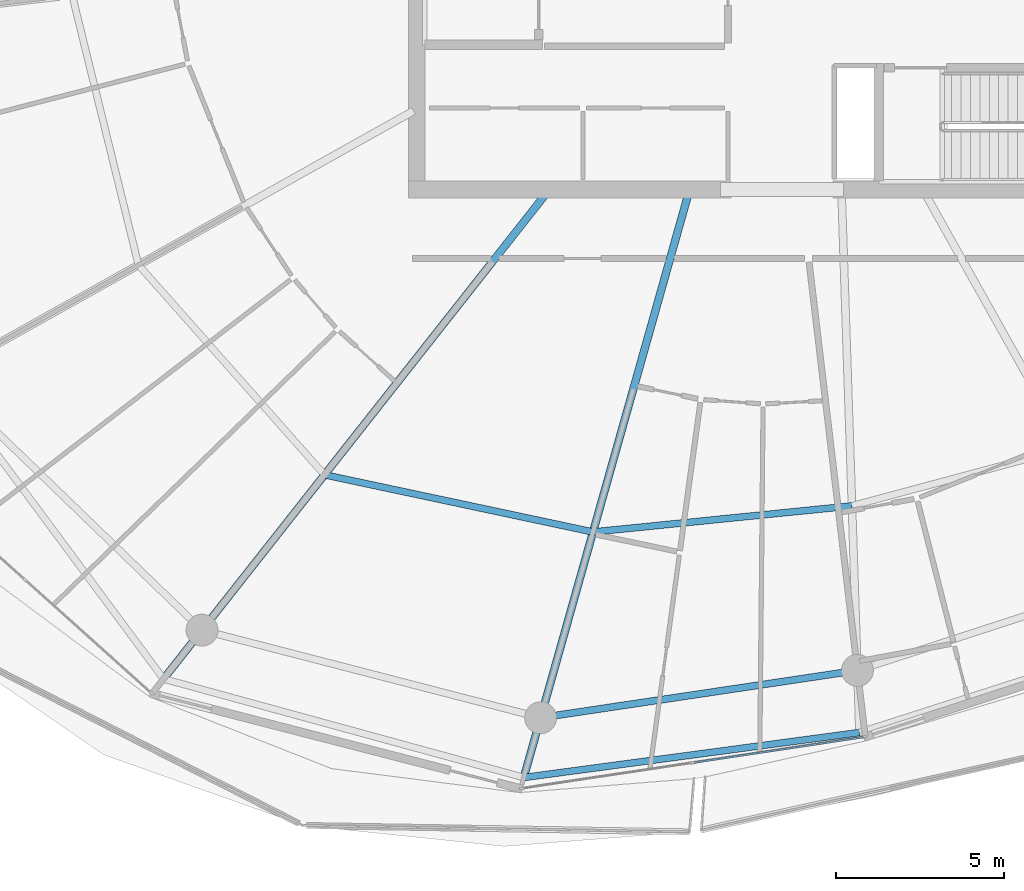
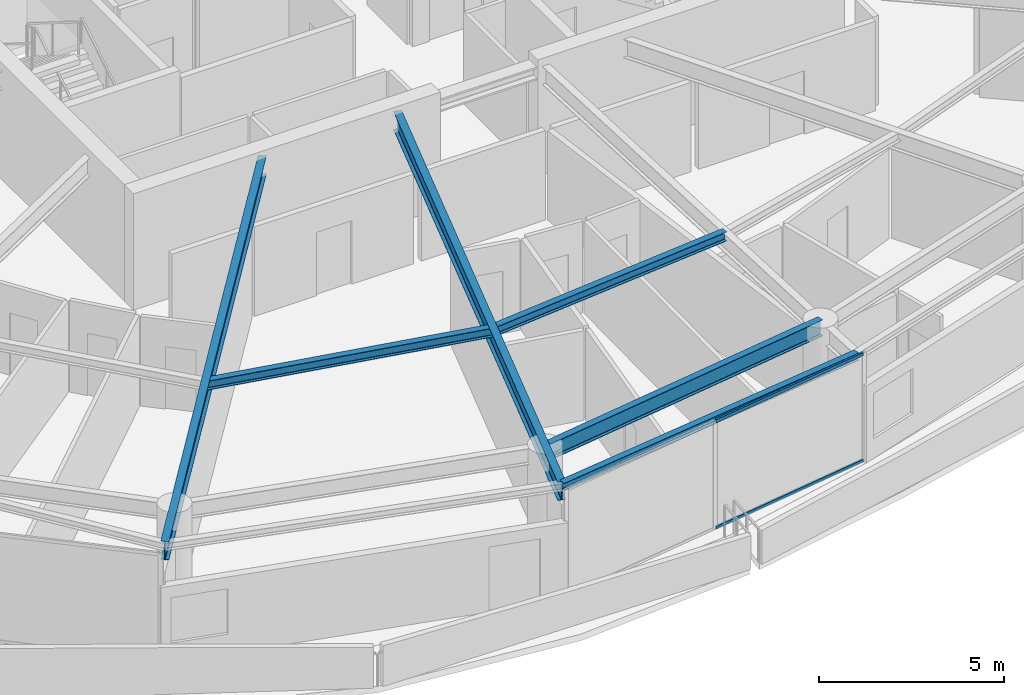
# One storey, part 6 of 29: 6 beams, 2 members, 1 element without a shape of its own.
"""IFC4 building model written with IfcOpenShell, lengths in metres."""

from ifc_helpers import new_model, si_unit, direction, frame, origin, origin_2d, place, context, subcontext, project, spatial, rectangle, i_section, extrude, material, layer, layer_set, material_profile, profile_set, type_object, element, aggregate, save


model = new_model("IFC4")

# Units and contexts
model_context = context("Model", 3, precision=1e-05, world=origin(), true_north=direction((0.0, 1.0)))
body_context = subcontext(model_context, "Body", "Model", "MODEL_VIEW")
ifc_project = project(units=[si_unit("LENGTHUNIT", "METRE"), si_unit("AREAUNIT", "SQUARE_METRE"), si_unit("VOLUMEUNIT", "CUBIC_METRE"), si_unit("PLANEANGLEUNIT", "RADIAN"), si_unit("MASSUNIT", "GRAM", prefix="KILO")], contexts=[model_context])

# Site, building, storey
site_placement = place(None, origin())
site = spatial("IfcSite", under=ifc_project, at=site_placement, CompositionType="ELEMENT")
building_placement = place(site_placement, origin())
building = spatial("IfcBuilding", under=site, at=building_placement, Name="Kazma Halo Residences", CompositionType="ELEMENT")
storey_placement = place(building_placement, frame((0.0, 0.0, 282.89990234375)))
storey = spatial("IfcBuildingStorey", under=building, at=storey_placement, Name="L71", CompositionType="ELEMENT", Elevation=282.89990234375)

# Beams
ifc_material_1 = material(Name="Steel S355", Category="steel")
ifc_material_profile_1 = material_profile(ifc_material_1, i_section(OverallWidth=0.201904296875, OverallDepth=0.2470703125, WebThickness=0.00732421875, FlangeThickness=0.010986328125, FilletRadius=0.011962890625, at=origin_2d()), Name="W250x49.1")
ifc_profile_set_1 = profile_set([ifc_material_profile_1], Name="Steel S355")
beam_type_1 = type_object("IfcBeamType", Name="BM-BAL-CANT", PredefinedType="BEAM", material=ifc_profile_set_1)
beam_1_placement = place(storey_placement, frame((40.73486328125, 16.239990234375, 3.466552734375), z_axis=(0.991136135569, 0.132850144029, 0.0), x_axis=(-0.132850144029, 0.991136135569, 0.0)))
element("IfcBeam", 1, at=beam_1_placement, inside=storey, type_object=beam_type_1, Name="L71 wave-balcony tie beam 11", PredefinedType="BEAM", context=body_context, shape_type="SweptSolid", body=[
    extrude(i_section(OverallWidth=0.201904296875, OverallDepth=0.2470703125, WebThickness=0.00732421875, FlangeThickness=0.010986328125, FilletRadius=0.011962890625, at=origin_2d()), origin(), (0.0, 0.0, 1.0), 10.087158203125),
])
ifc_material_profile_2 = material_profile(ifc_material_1, i_section(OverallWidth=0.22802734375, OverallDepth=0.60791015625, WebThickness=0.01123046875, FlangeThickness=0.017333984375, FilletRadius=0.01806640625, at=origin_2d()), Name="W610x113")
ifc_profile_set_2 = profile_set([ifc_material_profile_2], Name="Steel S355")
beam_type_2 = type_object("IfcBeamType", Name="BM-RAD-W610", PredefinedType="BEAM", material=ifc_profile_set_2)
beam_2_placement = place(storey_placement, frame((41.41748046875, 33.64990234375, 3.2861328125), z_axis=(-0.619094367176, -0.785316601461, 0.0), x_axis=(0.785316601461, -0.619094367176, 0.0)))
element("IfcBeam", 2, at=beam_2_placement, inside=storey, type_object=beam_type_2, Name="L71 radial floor beam 10", PredefinedType="BEAM", context=body_context, shape_type="SweptSolid", body=[
    extrude(i_section(OverallWidth=0.22802734375, OverallDepth=0.60791015625, WebThickness=0.01123046875, FlangeThickness=0.017333984375, FilletRadius=0.01806640625, at=origin_2d()), origin(), (0.0, 0.0, 1.0), 18.429931640625),
])
beam_3_placement = place(storey_placement, frame((45.64501953125, 33.64990234375, 3.2861328125), z_axis=(-0.271443175073, -0.962454467861, 0.0), x_axis=(0.962454467861, -0.271443175073, 0.0)))
element("IfcBeam", 3, at=beam_3_placement, inside=storey, type_object=beam_type_2, Name="L71 radial floor beam 11", PredefinedType="BEAM", context=body_context, shape_type="SweptSolid", body=[
    extrude(i_section(OverallWidth=0.22802734375, OverallDepth=0.60791015625, WebThickness=0.01123046875, FlangeThickness=0.017333984375, FilletRadius=0.01806640625, at=origin_2d()), origin(), (0.0, 0.0, 1.0), 18.089111328125),
])
ifc_material_profile_3 = material_profile(ifc_material_1, i_section(OverallWidth=0.202880859375, OverallDepth=0.302978515625, WebThickness=0.007568359375, FlangeThickness=0.01318359375, FilletRadius=0.013916015625, at=origin_2d()), Name="W310x60")
ifc_profile_set_3 = profile_set([ifc_material_profile_3], Name="Steel S355")
beam_type_3 = type_object("IfcBeamType", Name="BM-SEC-W310A", PredefinedType="JOIST", material=ifc_profile_set_3)
beam_4_placement = place(storey_placement, frame((34.7998046875, 25.25537109375, 3.4384765625), z_axis=(0.97806685939, -0.208291186956, 0.0), x_axis=(0.208291186956, 0.97806685939, 0.0)))
element("IfcBeam", 4, at=beam_4_placement, inside=storey, type_object=beam_type_3, Name="L71 circumferential floor joist 10", PredefinedType="JOIST", context=body_context, shape_type="SweptSolid", body=[
    extrude(i_section(OverallWidth=0.202880859375, OverallDepth=0.302978515625, WebThickness=0.007568359375, FlangeThickness=0.01318359375, FilletRadius=0.013916015625, at=origin_2d()), origin(), (0.0, 0.0, 1.0), 8.1767578125),
])
beam_5_placement = place(storey_placement, frame((42.797119140625, 23.55224609375, 3.4384765625), z_axis=(0.994958290831, 0.100289578258, 0.0), x_axis=(-0.100289578258, 0.994958290831, 0.0)))
element("IfcBeam", 5, at=beam_5_placement, inside=storey, type_object=beam_type_3, Name="L71 circumferential floor joist 11", PredefinedType="JOIST", context=body_context, shape_type="SweptSolid", body=[
    extrude(i_section(OverallWidth=0.202880859375, OverallDepth=0.302978515625, WebThickness=0.007568359375, FlangeThickness=0.01318359375, FilletRadius=0.013916015625, at=origin_2d()), origin(), (0.0, 0.0, 1.0), 7.7509765625),
])
ifc_material_profile_4 = material_profile(ifc_material_1, i_section(OverallWidth=0.208984375, OverallDepth=0.532958984375, WebThickness=0.01025390625, FlangeThickness=0.015625, FilletRadius=0.01611328125, at=origin_2d()), Name="W530x92")
ifc_profile_set_4 = profile_set([ifc_material_profile_4], Name="Steel S355")
beam_type_4 = type_object("IfcBeamType", Name="BM-SPN-W530", PredefinedType="BEAM", material=ifc_profile_set_4)
beam_6_placement = place(storey_placement, frame((41.237060546875, 18.0205078125, 3.323486328125), z_axis=(0.989035441627, 0.147678350495, 0.0), x_axis=(-0.147678350495, 0.989035441627, 0.0)))
element("IfcBeam", 6, at=beam_6_placement, inside=storey, type_object=beam_type_4, Name="L71 perimeter ring beam 11", PredefinedType="BEAM", context=body_context, shape_type="SweptSolid", body=[
    extrude(i_section(OverallWidth=0.208984375, OverallDepth=0.532958984375, WebThickness=0.01025390625, FlangeThickness=0.015625, FilletRadius=0.01611328125, at=origin_2d()), origin(), (0.0, 0.0, 1.0), 9.538818359375),
])

# Curtain wall, members
ifc_material_2 = material(Name="Aluminium AW-6063 T6 and Triple-Silver Low-E Glass", Category="aluminium")
ifc_layer = layer(ifc_material_2, 0.139892578125)
ifc_layer_set = layer_set([ifc_layer], Name="Aluminium AW-6063 T6 and Triple-Silver Low-E Glass")
curtain_wall_type = type_object("IfcCurtainWallType", Name="CW-SYS-5", PredefinedType="NOTDEFINED", material=ifc_layer_set)
curtain_wall_placement = place(storey_placement, origin())
curtain_wall = element("IfcCurtainWall", 7, at=curtain_wall_placement, inside=storey, type_object=curtain_wall_type, Name="L71 unitised curtain wall B11", PredefinedType="NOTDEFINED")
ifc_material_3 = material(Name="Aluminium AW-6063 T6", Category="aluminium")
ifc_material_profile_5 = material_profile(ifc_material_3, rectangle(XDim=0.06005859375, YDim=0.10498046875, at=origin_2d()), Name="CWT-60x105")
ifc_profile_set_5 = profile_set([ifc_material_profile_5], Name="Aluminium AW-6063 T6")
member_type = type_object("IfcMemberType", Name="CW-SYS-5-TRN", PredefinedType="USERDEFINED", material=ifc_profile_set_5)
member_1_placement = place(storey_placement, frame((45.80322265625, 16.6845703125, 0.030029296875), z_axis=(0.988882913569, 0.148696278541, 0.0), x_axis=(-0.148696278541, 0.988882913569, 0.0)))
member_1 = element("IfcMember", 8, at=member_1_placement, type_object=member_type, Name="CWS-5 transom 2.1", ObjectType="TRANSOM", PredefinedType="USERDEFINED", context=body_context, shape_type="SweptSolid", body=[
    extrude(rectangle(XDim=0.06005859375, YDim=0.10498046875, at=origin_2d()), origin(), (0.0, 0.0, 1.0), 5.099609375),
])
member_2_placement = place(storey_placement, frame((45.80322265625, 16.6845703125, 3.56005859375), z_axis=(0.988882913569, 0.148696278541, 0.0), x_axis=(-0.148696278541, 0.988882913569, 0.0)))
member_2 = element("IfcMember", 9, at=member_2_placement, type_object=member_type, Name="CWS-5 transom 2.2", ObjectType="TRANSOM", PredefinedType="USERDEFINED", context=body_context, shape_type="SweptSolid", body=[
    extrude(rectangle(XDim=0.06005859375, YDim=0.10498046875, at=origin_2d()), origin(), (0.0, 0.0, 1.0), 5.099609375),
])
aggregate(curtain_wall, [member_1, member_2])

save(model, "model.ifc")
